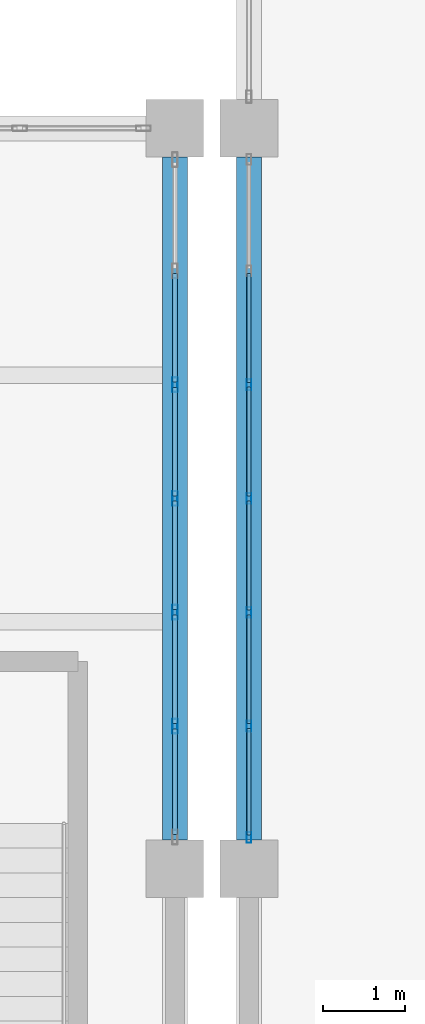
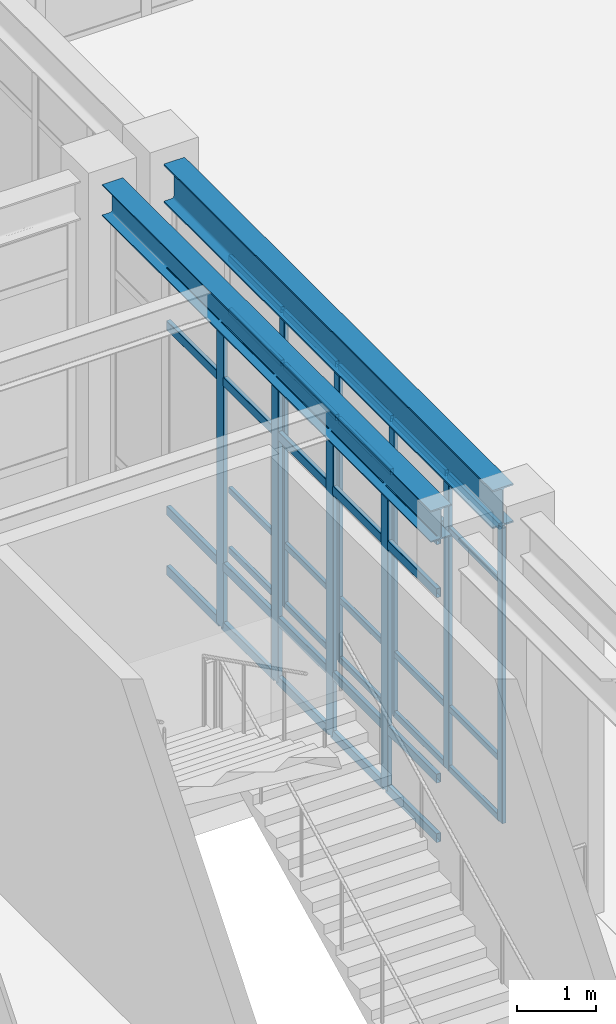
# One storey, part 44 of 80: 49 members, 2 beams, 2 elements without a shape of their own.
"""IFC4 building model written with IfcOpenShell, lengths in metres."""

from ifc_helpers import new_model, si_unit, direction, frame, origin, origin_2d, place, context, subcontext, project, spatial, hollow_rectangle, i_section, extrude, material, material_profile, profile_set, type_object, element, aggregate, save


model = new_model("IFC4")

# Units and contexts
model_context = context("Model", 3, precision=1e-05, world=origin(), true_north=direction((0.0, 1.0)))
body_context = subcontext(model_context, "Body", "Model", "MODEL_VIEW")
ifc_project = project(units=[si_unit("LENGTHUNIT", "METRE"), si_unit("AREAUNIT", "SQUARE_METRE"), si_unit("VOLUMEUNIT", "CUBIC_METRE"), si_unit("PLANEANGLEUNIT", "RADIAN"), si_unit("MASSUNIT", "GRAM", prefix="KILO")], contexts=[model_context])

# Site, building, storey
site_placement = place(None, origin())
site = spatial("IfcSite", under=ifc_project, at=site_placement, CompositionType="ELEMENT")
building_placement = place(site_placement, origin())
building = spatial("IfcBuilding", under=site, at=building_placement, Name="Canglan Escarpment Cableway Terminal", CompositionType="ELEMENT")
storey_placement = place(building_placement, frame((0.0, 0.0, 19.199951171875)))
storey = spatial("IfcBuildingStorey", under=building, at=storey_placement, Name="L04", CompositionType="ELEMENT", Elevation=19.199951171875)

# Beams
ifc_material_1 = material(Name="Steel Q355B", Category="steel")
ifc_material_profile_1 = material_profile(ifc_material_1, i_section(OverallWidth=0.300048828125, OverallDepth=0.488037109375, WebThickness=0.010986328125, FlangeThickness=0.01806640625, FilletRadius=0.02587890625, at=origin_2d()), Name="HM 488x300x11x18")
ifc_profile_set_1 = profile_set([ifc_material_profile_1], Name="Steel Q355B")
beam_type_1 = type_object("IfcBeamType", Name="BM-HM488", PredefinedType="BEAM", material=ifc_profile_set_1)
beam_1_placement = place(storey_placement, frame((136.699951171875, 106.35009765625, 4.916015625), z_axis=(0.0, 1.0, 0.0), x_axis=(-1.0, 0.0, 0.0)))
element("IfcBeam", 1, at=beam_1_placement, inside=storey, type_object=beam_type_1, Name="Primary transverse girder B-09", PredefinedType="BEAM", context=body_context, shape_type="SweptSolid", body=[
    extrude(i_section(OverallWidth=0.300048828125, OverallDepth=0.488037109375, WebThickness=0.010986328125, FlangeThickness=0.01806640625, FilletRadius=0.02587890625, at=origin_2d()), origin(), (0.0, 0.0, 1.0), 8.2998046875),
])
ifc_material_2 = material(Name="Steel Q355C", Category="steel")
ifc_material_profile_2 = material_profile(ifc_material_2, i_section(OverallWidth=0.302001953125, OverallDepth=0.593994140625, WebThickness=0.013916015625, FlangeThickness=0.02294921875, FilletRadius=0.028076171875, at=origin_2d()), Name="HM 594x302x14x23")
ifc_profile_set_2 = profile_set([ifc_material_profile_2], Name="Steel Q355C")
beam_type_2 = type_object("IfcBeamType", Name="BM-HM594", PredefinedType="BEAM", material=ifc_profile_set_2)
beam_2_placement = place(storey_placement, frame((137.60009765625, 106.35009765625, 4.863037109375), z_axis=(0.0, 1.0, 0.0), x_axis=(-1.0, 0.0, 0.0)))
element("IfcBeam", 2, at=beam_2_placement, inside=storey, type_object=beam_type_2, Name="Primary transverse girder B-07", PredefinedType="BEAM", context=body_context, shape_type="SweptSolid", body=[
    extrude(i_section(OverallWidth=0.302001953125, OverallDepth=0.593994140625, WebThickness=0.013916015625, FlangeThickness=0.02294921875, FilletRadius=0.028076171875, at=origin_2d()), origin(), (0.0, 0.0, 1.0), 8.2998046875),
])

# Curtain wall, members
ifc_material_3 = material(Name="Anodized bronze aluminium and Low-E double glazing", Category="aluminium")
curtain_wall_type_1 = type_object("IfcCurtainWallType", Name="CW-BAY-8300x4550", PredefinedType="NOTDEFINED", material=ifc_material_3)
curtain_wall_1_placement = place(storey_placement, origin())
curtain_wall_1 = element("IfcCurtainWall", 3, at=curtain_wall_1_placement, inside=storey, type_object=curtain_wall_type_1, Name="Classical bay-between-piers glazed curtain wall CW-64", PredefinedType="NOTDEFINED")
ifc_material_4 = material(Name="Thermally broken anodized aluminium 6063-T6", Category="aluminium")
ifc_material_profile_3 = material_profile(ifc_material_4, hollow_rectangle(XDim=0.06005859375, YDim=0.1298828125, WallThickness=0.0029296875, InnerFilletRadius=0.0029296875, OuterFilletRadius=0.006103515625, at=origin_2d()), Name="ALU-MULL 60x130x3")
ifc_profile_set_3 = profile_set([ifc_material_profile_3], Name="Thermally broken anodized aluminium 6063-T6")
member_type_1 = type_object("IfcMemberType", Name="CWM-01", PredefinedType="MULLION", material=ifc_profile_set_3)
member_1_placement = place(storey_placement, frame((137.60009765625, 111.88330078125, 0.0), z_axis=(0.0, 0.0, 1.0), x_axis=(1.0, 0.0, 0.0)))
member_1 = element("IfcMember", 4, at=member_1_placement, type_object=member_type_1, Name="CW-64 mullion 3", PredefinedType="MULLION", context=body_context, shape_type="SweptSolid", body=[
    extrude(hollow_rectangle(XDim=0.06005859375, YDim=0.1298828125, WallThickness=0.0029296875, InnerFilletRadius=0.0029296875, OuterFilletRadius=0.006103515625, at=origin_2d()), origin(), (0.0, 0.0, 1.0), 4.551025390625),
])
member_2_placement = place(storey_placement, frame((137.60009765625, 110.5, 0.0), z_axis=(0.0, 0.0, 1.0), x_axis=(1.0, 0.0, 0.0)))
member_2 = element("IfcMember", 5, at=member_2_placement, type_object=member_type_1, Name="CW-64 mullion 4", PredefinedType="MULLION", context=body_context, shape_type="SweptSolid", body=[
    extrude(hollow_rectangle(XDim=0.06005859375, YDim=0.1298828125, WallThickness=0.0029296875, InnerFilletRadius=0.0029296875, OuterFilletRadius=0.006103515625, at=origin_2d()), origin(), (0.0, 0.0, 1.0), 4.551025390625),
])
member_3_placement = place(storey_placement, frame((137.60009765625, 109.11669921875, 0.0), z_axis=(0.0, 0.0, 1.0), x_axis=(1.0, 0.0, 0.0)))
member_3 = element("IfcMember", 6, at=member_3_placement, type_object=member_type_1, Name="CW-64 mullion 5", PredefinedType="MULLION", context=body_context, shape_type="SweptSolid", body=[
    extrude(hollow_rectangle(XDim=0.06005859375, YDim=0.1298828125, WallThickness=0.0029296875, InnerFilletRadius=0.0029296875, OuterFilletRadius=0.006103515625, at=origin_2d()), origin(), (0.0, 0.0, 1.0), 4.551025390625),
])
member_4_placement = place(storey_placement, frame((137.60009765625, 107.7333984375, 0.0), z_axis=(0.0, 0.0, 1.0), x_axis=(1.0, 0.0, 0.0)))
member_4 = element("IfcMember", 7, at=member_4_placement, type_object=member_type_1, Name="CW-64 mullion 6", PredefinedType="MULLION", context=body_context, shape_type="SweptSolid", body=[
    extrude(hollow_rectangle(XDim=0.06005859375, YDim=0.1298828125, WallThickness=0.0029296875, InnerFilletRadius=0.0029296875, OuterFilletRadius=0.006103515625, at=origin_2d()), origin(), (0.0, 0.0, 1.0), 4.551025390625),
])
member_5_placement = place(storey_placement, frame((137.60009765625, 106.3798828125, 0.0), z_axis=(0.0, 0.0, 1.0), x_axis=(1.0, 0.0, 0.0)))
member_5 = element("IfcMember", 8, at=member_5_placement, type_object=member_type_1, Name="CW-64 mullion 7", PredefinedType="MULLION", context=body_context, shape_type="SweptSolid", body=[
    extrude(hollow_rectangle(XDim=0.06005859375, YDim=0.1298828125, WallThickness=0.0029296875, InnerFilletRadius=0.0029296875, OuterFilletRadius=0.006103515625, at=origin_2d()), origin(), (0.0, 0.0, 1.0), 4.551025390625),
])

curtain_wall_type_2 = type_object("IfcCurtainWallType", Name="CW-BAY-8300x4650", PredefinedType="NOTDEFINED", material=ifc_material_3)
curtain_wall_2_placement = place(storey_placement, origin())
curtain_wall_2 = element("IfcCurtainWall", 9, at=curtain_wall_2_placement, inside=storey, type_object=curtain_wall_type_2, Name="Classical bay-between-piers glazed curtain wall CW-51", PredefinedType="NOTDEFINED")
ifc_material_profile_4 = material_profile(ifc_material_4, hollow_rectangle(XDim=0.06494140625, YDim=0.179931640625, WallThickness=0.00390625, InnerFilletRadius=0.00390625, OuterFilletRadius=0.008056640625, at=origin_2d()), Name="ALU-MULL 65x180x4")
ifc_profile_set_4 = profile_set([ifc_material_profile_4], Name="Thermally broken anodized aluminium 6063-T6")
member_type_2 = type_object("IfcMemberType", Name="CWM-03", PredefinedType="MULLION", material=ifc_profile_set_4)
member_6_placement = place(storey_placement, frame((136.699951171875, 107.7333984375, 0.0), z_axis=(0.0, 0.0, 1.0), x_axis=(-1.0, 0.0, 0.0)))
member_6 = element("IfcMember", 10, at=member_6_placement, type_object=member_type_2, Name="CW-51 mullion 2", PredefinedType="MULLION", context=body_context, shape_type="SweptSolid", body=[
    extrude(hollow_rectangle(XDim=0.06494140625, YDim=0.179931640625, WallThickness=0.00390625, InnerFilletRadius=0.00390625, OuterFilletRadius=0.008056640625, at=origin_2d()), origin(), (0.0, 0.0, 1.0), 4.656982421875),
])
member_7_placement = place(storey_placement, frame((136.699951171875, 109.11669921875, 0.0), z_axis=(0.0, 0.0, 1.0), x_axis=(-1.0, 0.0, 0.0)))
member_7 = element("IfcMember", 11, at=member_7_placement, type_object=member_type_2, Name="CW-51 mullion 3", PredefinedType="MULLION", context=body_context, shape_type="SweptSolid", body=[
    extrude(hollow_rectangle(XDim=0.06494140625, YDim=0.179931640625, WallThickness=0.00390625, InnerFilletRadius=0.00390625, OuterFilletRadius=0.008056640625, at=origin_2d()), origin(), (0.0, 0.0, 1.0), 4.656982421875),
])
member_8_placement = place(storey_placement, frame((136.699951171875, 110.5, 0.0), z_axis=(0.0, 0.0, 1.0), x_axis=(-1.0, 0.0, 0.0)))
member_8 = element("IfcMember", 12, at=member_8_placement, type_object=member_type_2, Name="CW-51 mullion 4", PredefinedType="MULLION", context=body_context, shape_type="SweptSolid", body=[
    extrude(hollow_rectangle(XDim=0.06494140625, YDim=0.179931640625, WallThickness=0.00390625, InnerFilletRadius=0.00390625, OuterFilletRadius=0.008056640625, at=origin_2d()), origin(), (0.0, 0.0, 1.0), 4.656982421875),
])
member_9_placement = place(storey_placement, frame((136.699951171875, 111.88330078125, 0.0), z_axis=(0.0, 0.0, 1.0), x_axis=(-1.0, 0.0, 0.0)))
member_9 = element("IfcMember", 13, at=member_9_placement, type_object=member_type_2, Name="CW-51 mullion 5", PredefinedType="MULLION", context=body_context, shape_type="SweptSolid", body=[
    extrude(hollow_rectangle(XDim=0.06494140625, YDim=0.179931640625, WallThickness=0.00390625, InnerFilletRadius=0.00390625, OuterFilletRadius=0.008056640625, at=origin_2d()), origin(), (0.0, 0.0, 1.0), 4.656982421875),
])

# Member
ifc_material_profile_5 = material_profile(ifc_material_4, hollow_rectangle(XDim=0.054931640625, YDim=0.094970703125, WallThickness=0.0029296875, InnerFilletRadius=0.0029296875, OuterFilletRadius=0.006103515625, at=origin_2d()), Name="ALU-TRAN 55x95x3")
ifc_profile_set_5 = profile_set([ifc_material_profile_5], Name="Thermally broken anodized aluminium 6063-T6")
member_type_3 = type_object("IfcMemberType", Name="CWT-01", PredefinedType="USERDEFINED", material=ifc_profile_set_5)
member_10_placement = place(storey_placement, frame((137.60009765625, 113.236572265625, 0.027587890625), z_axis=(0.0, -1.0, 0.0), x_axis=(1.0, 0.0, 0.0)))
member_10 = element("IfcMember", 14, at=member_10_placement, type_object=member_type_3, Name="CW-64 transom 2.1", ObjectType="TRANSOM", PredefinedType="USERDEFINED", context=body_context, shape_type="SweptSolid", body=[
    extrude(hollow_rectangle(XDim=0.054931640625, YDim=0.094970703125, WallThickness=0.0029296875, InnerFilletRadius=0.0029296875, OuterFilletRadius=0.006103515625, at=origin_2d()), origin(), (0.0, 0.0, 1.0), 1.3232421875),
])

member_11_placement = place(storey_placement, frame((137.60009765625, 113.236572265625, 0.949951171875), z_axis=(0.0, -1.0, 0.0), x_axis=(1.0, 0.0, 0.0)))
member_11 = element("IfcMember", 15, at=member_11_placement, type_object=member_type_3, Name="CW-64 transom 2.2", ObjectType="TRANSOM", PredefinedType="USERDEFINED", context=body_context, shape_type="SweptSolid", body=[
    extrude(hollow_rectangle(XDim=0.054931640625, YDim=0.094970703125, WallThickness=0.0029296875, InnerFilletRadius=0.0029296875, OuterFilletRadius=0.006103515625, at=origin_2d()), origin(), (0.0, 0.0, 1.0), 1.3232421875),
])

member_12_placement = place(storey_placement, frame((137.60009765625, 113.236572265625, 3.700927734375), z_axis=(0.0, -1.0, 0.0), x_axis=(1.0, 0.0, 0.0)))
member_12 = element("IfcMember", 16, at=member_12_placement, type_object=member_type_3, Name="CW-64 transom 2.3", ObjectType="TRANSOM", PredefinedType="USERDEFINED", context=body_context, shape_type="SweptSolid", body=[
    extrude(hollow_rectangle(XDim=0.054931640625, YDim=0.094970703125, WallThickness=0.0029296875, InnerFilletRadius=0.0029296875, OuterFilletRadius=0.006103515625, at=origin_2d()), origin(), (0.0, 0.0, 1.0), 1.3232421875),
])

member_13_placement = place(storey_placement, frame((137.60009765625, 113.236572265625, 4.5234375), z_axis=(0.0, -1.0, 0.0), x_axis=(1.0, 0.0, 0.0)))
member_13 = element("IfcMember", 17, at=member_13_placement, type_object=member_type_3, Name="CW-64 transom 2.4", ObjectType="TRANSOM", PredefinedType="USERDEFINED", context=body_context, shape_type="SweptSolid", body=[
    extrude(hollow_rectangle(XDim=0.054931640625, YDim=0.094970703125, WallThickness=0.0029296875, InnerFilletRadius=0.0029296875, OuterFilletRadius=0.006103515625, at=origin_2d()), origin(), (0.0, 0.0, 1.0), 1.3232421875),
])

member_14_placement = place(storey_placement, frame((137.60009765625, 111.853271484375, 0.027587890625), z_axis=(0.0, -1.0, 0.0), x_axis=(1.0, 0.0, 0.0)))
member_14 = element("IfcMember", 18, at=member_14_placement, type_object=member_type_3, Name="CW-64 transom 3.1", ObjectType="TRANSOM", PredefinedType="USERDEFINED", context=body_context, shape_type="SweptSolid", body=[
    extrude(hollow_rectangle(XDim=0.054931640625, YDim=0.094970703125, WallThickness=0.0029296875, InnerFilletRadius=0.0029296875, OuterFilletRadius=0.006103515625, at=origin_2d()), origin(), (0.0, 0.0, 1.0), 1.3232421875),
])

member_15_placement = place(storey_placement, frame((137.60009765625, 111.853271484375, 0.949951171875), z_axis=(0.0, -1.0, 0.0), x_axis=(1.0, 0.0, 0.0)))
member_15 = element("IfcMember", 19, at=member_15_placement, type_object=member_type_3, Name="CW-64 transom 3.2", ObjectType="TRANSOM", PredefinedType="USERDEFINED", context=body_context, shape_type="SweptSolid", body=[
    extrude(hollow_rectangle(XDim=0.054931640625, YDim=0.094970703125, WallThickness=0.0029296875, InnerFilletRadius=0.0029296875, OuterFilletRadius=0.006103515625, at=origin_2d()), origin(), (0.0, 0.0, 1.0), 1.3232421875),
])

member_16_placement = place(storey_placement, frame((137.60009765625, 111.853271484375, 3.700927734375), z_axis=(0.0, -1.0, 0.0), x_axis=(1.0, 0.0, 0.0)))
member_16 = element("IfcMember", 20, at=member_16_placement, type_object=member_type_3, Name="CW-64 transom 3.3", ObjectType="TRANSOM", PredefinedType="USERDEFINED", context=body_context, shape_type="SweptSolid", body=[
    extrude(hollow_rectangle(XDim=0.054931640625, YDim=0.094970703125, WallThickness=0.0029296875, InnerFilletRadius=0.0029296875, OuterFilletRadius=0.006103515625, at=origin_2d()), origin(), (0.0, 0.0, 1.0), 1.3232421875),
])

member_17_placement = place(storey_placement, frame((137.60009765625, 111.853271484375, 4.5234375), z_axis=(0.0, -1.0, 0.0), x_axis=(1.0, 0.0, 0.0)))
member_17 = element("IfcMember", 21, at=member_17_placement, type_object=member_type_3, Name="CW-64 transom 3.4", ObjectType="TRANSOM", PredefinedType="USERDEFINED", context=body_context, shape_type="SweptSolid", body=[
    extrude(hollow_rectangle(XDim=0.054931640625, YDim=0.094970703125, WallThickness=0.0029296875, InnerFilletRadius=0.0029296875, OuterFilletRadius=0.006103515625, at=origin_2d()), origin(), (0.0, 0.0, 1.0), 1.3232421875),
])

member_18_placement = place(storey_placement, frame((137.60009765625, 110.469970703125, 0.027587890625), z_axis=(0.0, -1.0, 0.0), x_axis=(1.0, 0.0, 0.0)))
member_18 = element("IfcMember", 22, at=member_18_placement, type_object=member_type_3, Name="CW-64 transom 4.1", ObjectType="TRANSOM", PredefinedType="USERDEFINED", context=body_context, shape_type="SweptSolid", body=[
    extrude(hollow_rectangle(XDim=0.054931640625, YDim=0.094970703125, WallThickness=0.0029296875, InnerFilletRadius=0.0029296875, OuterFilletRadius=0.006103515625, at=origin_2d()), origin(), (0.0, 0.0, 1.0), 1.3232421875),
])

member_19_placement = place(storey_placement, frame((137.60009765625, 110.469970703125, 0.949951171875), z_axis=(0.0, -1.0, 0.0), x_axis=(1.0, 0.0, 0.0)))
member_19 = element("IfcMember", 23, at=member_19_placement, type_object=member_type_3, Name="CW-64 transom 4.2", ObjectType="TRANSOM", PredefinedType="USERDEFINED", context=body_context, shape_type="SweptSolid", body=[
    extrude(hollow_rectangle(XDim=0.054931640625, YDim=0.094970703125, WallThickness=0.0029296875, InnerFilletRadius=0.0029296875, OuterFilletRadius=0.006103515625, at=origin_2d()), origin(), (0.0, 0.0, 1.0), 1.3232421875),
])

member_20_placement = place(storey_placement, frame((137.60009765625, 110.469970703125, 3.700927734375), z_axis=(0.0, -1.0, 0.0), x_axis=(1.0, 0.0, 0.0)))
member_20 = element("IfcMember", 24, at=member_20_placement, type_object=member_type_3, Name="CW-64 transom 4.3", ObjectType="TRANSOM", PredefinedType="USERDEFINED", context=body_context, shape_type="SweptSolid", body=[
    extrude(hollow_rectangle(XDim=0.054931640625, YDim=0.094970703125, WallThickness=0.0029296875, InnerFilletRadius=0.0029296875, OuterFilletRadius=0.006103515625, at=origin_2d()), origin(), (0.0, 0.0, 1.0), 1.3232421875),
])

member_21_placement = place(storey_placement, frame((137.60009765625, 110.469970703125, 4.5234375), z_axis=(0.0, -1.0, 0.0), x_axis=(1.0, 0.0, 0.0)))
member_21 = element("IfcMember", 25, at=member_21_placement, type_object=member_type_3, Name="CW-64 transom 4.4", ObjectType="TRANSOM", PredefinedType="USERDEFINED", context=body_context, shape_type="SweptSolid", body=[
    extrude(hollow_rectangle(XDim=0.054931640625, YDim=0.094970703125, WallThickness=0.0029296875, InnerFilletRadius=0.0029296875, OuterFilletRadius=0.006103515625, at=origin_2d()), origin(), (0.0, 0.0, 1.0), 1.3232421875),
])

member_22_placement = place(storey_placement, frame((137.60009765625, 109.086669921875, 0.027587890625), z_axis=(0.0, -1.0, 0.0), x_axis=(1.0, 0.0, 0.0)))
member_22 = element("IfcMember", 26, at=member_22_placement, type_object=member_type_3, Name="CW-64 transom 5.1", ObjectType="TRANSOM", PredefinedType="USERDEFINED", context=body_context, shape_type="SweptSolid", body=[
    extrude(hollow_rectangle(XDim=0.054931640625, YDim=0.094970703125, WallThickness=0.0029296875, InnerFilletRadius=0.0029296875, OuterFilletRadius=0.006103515625, at=origin_2d()), origin(), (0.0, 0.0, 1.0), 1.3232421875),
])

member_23_placement = place(storey_placement, frame((137.60009765625, 109.086669921875, 0.949951171875), z_axis=(0.0, -1.0, 0.0), x_axis=(1.0, 0.0, 0.0)))
member_23 = element("IfcMember", 27, at=member_23_placement, type_object=member_type_3, Name="CW-64 transom 5.2", ObjectType="TRANSOM", PredefinedType="USERDEFINED", context=body_context, shape_type="SweptSolid", body=[
    extrude(hollow_rectangle(XDim=0.054931640625, YDim=0.094970703125, WallThickness=0.0029296875, InnerFilletRadius=0.0029296875, OuterFilletRadius=0.006103515625, at=origin_2d()), origin(), (0.0, 0.0, 1.0), 1.3232421875),
])

member_24_placement = place(storey_placement, frame((137.60009765625, 109.086669921875, 3.700927734375), z_axis=(0.0, -1.0, 0.0), x_axis=(1.0, 0.0, 0.0)))
member_24 = element("IfcMember", 28, at=member_24_placement, type_object=member_type_3, Name="CW-64 transom 5.3", ObjectType="TRANSOM", PredefinedType="USERDEFINED", context=body_context, shape_type="SweptSolid", body=[
    extrude(hollow_rectangle(XDim=0.054931640625, YDim=0.094970703125, WallThickness=0.0029296875, InnerFilletRadius=0.0029296875, OuterFilletRadius=0.006103515625, at=origin_2d()), origin(), (0.0, 0.0, 1.0), 1.3232421875),
])

member_25_placement = place(storey_placement, frame((137.60009765625, 109.086669921875, 4.5234375), z_axis=(0.0, -1.0, 0.0), x_axis=(1.0, 0.0, 0.0)))
member_25 = element("IfcMember", 29, at=member_25_placement, type_object=member_type_3, Name="CW-64 transom 5.4", ObjectType="TRANSOM", PredefinedType="USERDEFINED", context=body_context, shape_type="SweptSolid", body=[
    extrude(hollow_rectangle(XDim=0.054931640625, YDim=0.094970703125, WallThickness=0.0029296875, InnerFilletRadius=0.0029296875, OuterFilletRadius=0.006103515625, at=origin_2d()), origin(), (0.0, 0.0, 1.0), 1.3232421875),
])

member_26_placement = place(storey_placement, frame((137.60009765625, 107.703369140625, 0.027587890625), z_axis=(0.0, -1.0, 0.0), x_axis=(1.0, 0.0, 0.0)))
member_26 = element("IfcMember", 30, at=member_26_placement, type_object=member_type_3, Name="CW-64 transom 6.1", ObjectType="TRANSOM", PredefinedType="USERDEFINED", context=body_context, shape_type="SweptSolid", body=[
    extrude(hollow_rectangle(XDim=0.054931640625, YDim=0.094970703125, WallThickness=0.0029296875, InnerFilletRadius=0.0029296875, OuterFilletRadius=0.006103515625, at=origin_2d()), origin(), (0.0, 0.0, 1.0), 1.29345703125),
])

member_27_placement = place(storey_placement, frame((137.60009765625, 107.703369140625, 0.949951171875), z_axis=(0.0, -1.0, 0.0), x_axis=(1.0, 0.0, 0.0)))
member_27 = element("IfcMember", 31, at=member_27_placement, type_object=member_type_3, Name="CW-64 transom 6.2", ObjectType="TRANSOM", PredefinedType="USERDEFINED", context=body_context, shape_type="SweptSolid", body=[
    extrude(hollow_rectangle(XDim=0.054931640625, YDim=0.094970703125, WallThickness=0.0029296875, InnerFilletRadius=0.0029296875, OuterFilletRadius=0.006103515625, at=origin_2d()), origin(), (0.0, 0.0, 1.0), 1.29345703125),
])

member_28_placement = place(storey_placement, frame((137.60009765625, 107.703369140625, 3.700927734375), z_axis=(0.0, -1.0, 0.0), x_axis=(1.0, 0.0, 0.0)))
member_28 = element("IfcMember", 32, at=member_28_placement, type_object=member_type_3, Name="CW-64 transom 6.3", ObjectType="TRANSOM", PredefinedType="USERDEFINED", context=body_context, shape_type="SweptSolid", body=[
    extrude(hollow_rectangle(XDim=0.054931640625, YDim=0.094970703125, WallThickness=0.0029296875, InnerFilletRadius=0.0029296875, OuterFilletRadius=0.006103515625, at=origin_2d()), origin(), (0.0, 0.0, 1.0), 1.29345703125),
])

member_29_placement = place(storey_placement, frame((137.60009765625, 107.703369140625, 4.5234375), z_axis=(0.0, -1.0, 0.0), x_axis=(1.0, 0.0, 0.0)))
member_29 = element("IfcMember", 33, at=member_29_placement, type_object=member_type_3, Name="CW-64 transom 6.4", ObjectType="TRANSOM", PredefinedType="USERDEFINED", context=body_context, shape_type="SweptSolid", body=[
    extrude(hollow_rectangle(XDim=0.054931640625, YDim=0.094970703125, WallThickness=0.0029296875, InnerFilletRadius=0.0029296875, OuterFilletRadius=0.006103515625, at=origin_2d()), origin(), (0.0, 0.0, 1.0), 1.29345703125),
])

aggregate(curtain_wall_1, [member_1, member_2, member_3, member_4, member_5, member_10, member_11, member_12, member_13, member_14, member_15, member_16, member_17, member_18, member_19, member_20, member_21, member_22, member_23, member_24, member_25, member_26, member_27, member_28, member_29])

ifc_material_profile_6 = material_profile(ifc_material_4, hollow_rectangle(XDim=0.06494140625, YDim=0.139892578125, WallThickness=0.00341796875, InnerFilletRadius=0.00341796875, OuterFilletRadius=0.007080078125, at=origin_2d()), Name="ALU-TRAN 65x140x3.5")
ifc_profile_set_6 = profile_set([ifc_material_profile_6], Name="Thermally broken anodized aluminium 6063-T6")
member_type_4 = type_object("IfcMemberType", Name="CWT-03", PredefinedType="USERDEFINED", material=ifc_profile_set_6)
member_30_placement = place(storey_placement, frame((136.699951171875, 106.4150390625, 0.032470703125), z_axis=(0.0, 1.0, 0.0), x_axis=(-1.0, 0.0, 0.0)))
member_30 = element("IfcMember", 34, at=member_30_placement, type_object=member_type_4, Name="CW-51 transom 1.1", ObjectType="TRANSOM", PredefinedType="USERDEFINED", context=body_context, shape_type="SweptSolid", body=[
    extrude(hollow_rectangle(XDim=0.06494140625, YDim=0.139892578125, WallThickness=0.00341796875, InnerFilletRadius=0.00341796875, OuterFilletRadius=0.007080078125, at=origin_2d()), origin(), (0.0, 0.0, 1.0), 1.285888671875),
])

member_31_placement = place(storey_placement, frame((136.699951171875, 106.4150390625, 0.949951171875), z_axis=(0.0, 1.0, 0.0), x_axis=(-1.0, 0.0, 0.0)))
member_31 = element("IfcMember", 35, at=member_31_placement, type_object=member_type_4, Name="CW-51 transom 1.2", ObjectType="TRANSOM", PredefinedType="USERDEFINED", context=body_context, shape_type="SweptSolid", body=[
    extrude(hollow_rectangle(XDim=0.06494140625, YDim=0.139892578125, WallThickness=0.00341796875, InnerFilletRadius=0.00341796875, OuterFilletRadius=0.007080078125, at=origin_2d()), origin(), (0.0, 0.0, 1.0), 1.285888671875),
])

member_32_placement = place(storey_placement, frame((136.699951171875, 106.4150390625, 3.80712890625), z_axis=(0.0, 1.0, 0.0), x_axis=(-1.0, 0.0, 0.0)))
member_32 = element("IfcMember", 36, at=member_32_placement, type_object=member_type_4, Name="CW-51 transom 1.3", ObjectType="TRANSOM", PredefinedType="USERDEFINED", context=body_context, shape_type="SweptSolid", body=[
    extrude(hollow_rectangle(XDim=0.06494140625, YDim=0.139892578125, WallThickness=0.00341796875, InnerFilletRadius=0.00341796875, OuterFilletRadius=0.007080078125, at=origin_2d()), origin(), (0.0, 0.0, 1.0), 1.285888671875),
])

member_33_placement = place(storey_placement, frame((136.699951171875, 106.4150390625, 4.62451171875), z_axis=(0.0, 1.0, 0.0), x_axis=(-1.0, 0.0, 0.0)))
member_33 = element("IfcMember", 37, at=member_33_placement, type_object=member_type_4, Name="CW-51 transom 1.4", ObjectType="TRANSOM", PredefinedType="USERDEFINED", context=body_context, shape_type="SweptSolid", body=[
    extrude(hollow_rectangle(XDim=0.06494140625, YDim=0.139892578125, WallThickness=0.00341796875, InnerFilletRadius=0.00341796875, OuterFilletRadius=0.007080078125, at=origin_2d()), origin(), (0.0, 0.0, 1.0), 1.285888671875),
])

member_34_placement = place(storey_placement, frame((136.699951171875, 107.765869140625, 0.032470703125), z_axis=(0.0, 1.0, 0.0), x_axis=(-1.0, 0.0, 0.0)))
member_34 = element("IfcMember", 38, at=member_34_placement, type_object=member_type_4, Name="CW-51 transom 2.1", ObjectType="TRANSOM", PredefinedType="USERDEFINED", context=body_context, shape_type="SweptSolid", body=[
    extrude(hollow_rectangle(XDim=0.06494140625, YDim=0.139892578125, WallThickness=0.00341796875, InnerFilletRadius=0.00341796875, OuterFilletRadius=0.007080078125, at=origin_2d()), origin(), (0.0, 0.0, 1.0), 1.318359375),
])

member_35_placement = place(storey_placement, frame((136.699951171875, 107.765869140625, 0.949951171875), z_axis=(0.0, 1.0, 0.0), x_axis=(-1.0, 0.0, 0.0)))
member_35 = element("IfcMember", 39, at=member_35_placement, type_object=member_type_4, Name="CW-51 transom 2.2", ObjectType="TRANSOM", PredefinedType="USERDEFINED", context=body_context, shape_type="SweptSolid", body=[
    extrude(hollow_rectangle(XDim=0.06494140625, YDim=0.139892578125, WallThickness=0.00341796875, InnerFilletRadius=0.00341796875, OuterFilletRadius=0.007080078125, at=origin_2d()), origin(), (0.0, 0.0, 1.0), 1.318359375),
])

member_36_placement = place(storey_placement, frame((136.699951171875, 107.765869140625, 3.80712890625), z_axis=(0.0, 1.0, 0.0), x_axis=(-1.0, 0.0, 0.0)))
member_36 = element("IfcMember", 40, at=member_36_placement, type_object=member_type_4, Name="CW-51 transom 2.3", ObjectType="TRANSOM", PredefinedType="USERDEFINED", context=body_context, shape_type="SweptSolid", body=[
    extrude(hollow_rectangle(XDim=0.06494140625, YDim=0.139892578125, WallThickness=0.00341796875, InnerFilletRadius=0.00341796875, OuterFilletRadius=0.007080078125, at=origin_2d()), origin(), (0.0, 0.0, 1.0), 1.318359375),
])

member_37_placement = place(storey_placement, frame((136.699951171875, 107.765869140625, 4.62451171875), z_axis=(0.0, 1.0, 0.0), x_axis=(-1.0, 0.0, 0.0)))
member_37 = element("IfcMember", 41, at=member_37_placement, type_object=member_type_4, Name="CW-51 transom 2.4", ObjectType="TRANSOM", PredefinedType="USERDEFINED", context=body_context, shape_type="SweptSolid", body=[
    extrude(hollow_rectangle(XDim=0.06494140625, YDim=0.139892578125, WallThickness=0.00341796875, InnerFilletRadius=0.00341796875, OuterFilletRadius=0.007080078125, at=origin_2d()), origin(), (0.0, 0.0, 1.0), 1.318359375),
])

member_38_placement = place(storey_placement, frame((136.699951171875, 109.149169921875, 0.032470703125), z_axis=(0.0, 1.0, 0.0), x_axis=(-1.0, 0.0, 0.0)))
member_38 = element("IfcMember", 42, at=member_38_placement, type_object=member_type_4, Name="CW-51 transom 3.1", ObjectType="TRANSOM", PredefinedType="USERDEFINED", context=body_context, shape_type="SweptSolid", body=[
    extrude(hollow_rectangle(XDim=0.06494140625, YDim=0.139892578125, WallThickness=0.00341796875, InnerFilletRadius=0.00341796875, OuterFilletRadius=0.007080078125, at=origin_2d()), origin(), (0.0, 0.0, 1.0), 1.318359375),
])

member_39_placement = place(storey_placement, frame((136.699951171875, 109.149169921875, 0.949951171875), z_axis=(0.0, 1.0, 0.0), x_axis=(-1.0, 0.0, 0.0)))
member_39 = element("IfcMember", 43, at=member_39_placement, type_object=member_type_4, Name="CW-51 transom 3.2", ObjectType="TRANSOM", PredefinedType="USERDEFINED", context=body_context, shape_type="SweptSolid", body=[
    extrude(hollow_rectangle(XDim=0.06494140625, YDim=0.139892578125, WallThickness=0.00341796875, InnerFilletRadius=0.00341796875, OuterFilletRadius=0.007080078125, at=origin_2d()), origin(), (0.0, 0.0, 1.0), 1.318359375),
])

member_40_placement = place(storey_placement, frame((136.699951171875, 109.149169921875, 3.80712890625), z_axis=(0.0, 1.0, 0.0), x_axis=(-1.0, 0.0, 0.0)))
member_40 = element("IfcMember", 44, at=member_40_placement, type_object=member_type_4, Name="CW-51 transom 3.3", ObjectType="TRANSOM", PredefinedType="USERDEFINED", context=body_context, shape_type="SweptSolid", body=[
    extrude(hollow_rectangle(XDim=0.06494140625, YDim=0.139892578125, WallThickness=0.00341796875, InnerFilletRadius=0.00341796875, OuterFilletRadius=0.007080078125, at=origin_2d()), origin(), (0.0, 0.0, 1.0), 1.318359375),
])

member_41_placement = place(storey_placement, frame((136.699951171875, 109.149169921875, 4.62451171875), z_axis=(0.0, 1.0, 0.0), x_axis=(-1.0, 0.0, 0.0)))
member_41 = element("IfcMember", 45, at=member_41_placement, type_object=member_type_4, Name="CW-51 transom 3.4", ObjectType="TRANSOM", PredefinedType="USERDEFINED", context=body_context, shape_type="SweptSolid", body=[
    extrude(hollow_rectangle(XDim=0.06494140625, YDim=0.139892578125, WallThickness=0.00341796875, InnerFilletRadius=0.00341796875, OuterFilletRadius=0.007080078125, at=origin_2d()), origin(), (0.0, 0.0, 1.0), 1.318359375),
])

member_42_placement = place(storey_placement, frame((136.699951171875, 110.532470703125, 0.032470703125), z_axis=(0.0, 1.0, 0.0), x_axis=(-1.0, 0.0, 0.0)))
member_42 = element("IfcMember", 46, at=member_42_placement, type_object=member_type_4, Name="CW-51 transom 4.1", ObjectType="TRANSOM", PredefinedType="USERDEFINED", context=body_context, shape_type="SweptSolid", body=[
    extrude(hollow_rectangle(XDim=0.06494140625, YDim=0.139892578125, WallThickness=0.00341796875, InnerFilletRadius=0.00341796875, OuterFilletRadius=0.007080078125, at=origin_2d()), origin(), (0.0, 0.0, 1.0), 1.318359375),
])

member_43_placement = place(storey_placement, frame((136.699951171875, 110.532470703125, 0.949951171875), z_axis=(0.0, 1.0, 0.0), x_axis=(-1.0, 0.0, 0.0)))
member_43 = element("IfcMember", 47, at=member_43_placement, type_object=member_type_4, Name="CW-51 transom 4.2", ObjectType="TRANSOM", PredefinedType="USERDEFINED", context=body_context, shape_type="SweptSolid", body=[
    extrude(hollow_rectangle(XDim=0.06494140625, YDim=0.139892578125, WallThickness=0.00341796875, InnerFilletRadius=0.00341796875, OuterFilletRadius=0.007080078125, at=origin_2d()), origin(), (0.0, 0.0, 1.0), 1.318359375),
])

member_44_placement = place(storey_placement, frame((136.699951171875, 110.532470703125, 3.80712890625), z_axis=(0.0, 1.0, 0.0), x_axis=(-1.0, 0.0, 0.0)))
member_44 = element("IfcMember", 48, at=member_44_placement, type_object=member_type_4, Name="CW-51 transom 4.3", ObjectType="TRANSOM", PredefinedType="USERDEFINED", context=body_context, shape_type="SweptSolid", body=[
    extrude(hollow_rectangle(XDim=0.06494140625, YDim=0.139892578125, WallThickness=0.00341796875, InnerFilletRadius=0.00341796875, OuterFilletRadius=0.007080078125, at=origin_2d()), origin(), (0.0, 0.0, 1.0), 1.318359375),
])

member_45_placement = place(storey_placement, frame((136.699951171875, 110.532470703125, 4.62451171875), z_axis=(0.0, 1.0, 0.0), x_axis=(-1.0, 0.0, 0.0)))
member_45 = element("IfcMember", 49, at=member_45_placement, type_object=member_type_4, Name="CW-51 transom 4.4", ObjectType="TRANSOM", PredefinedType="USERDEFINED", context=body_context, shape_type="SweptSolid", body=[
    extrude(hollow_rectangle(XDim=0.06494140625, YDim=0.139892578125, WallThickness=0.00341796875, InnerFilletRadius=0.00341796875, OuterFilletRadius=0.007080078125, at=origin_2d()), origin(), (0.0, 0.0, 1.0), 1.318359375),
])

member_46_placement = place(storey_placement, frame((136.699951171875, 111.915771484375, 0.032470703125), z_axis=(0.0, 1.0, 0.0), x_axis=(-1.0, 0.0, 0.0)))
member_46 = element("IfcMember", 50, at=member_46_placement, type_object=member_type_4, Name="CW-51 transom 5.1", ObjectType="TRANSOM", PredefinedType="USERDEFINED", context=body_context, shape_type="SweptSolid", body=[
    extrude(hollow_rectangle(XDim=0.06494140625, YDim=0.139892578125, WallThickness=0.00341796875, InnerFilletRadius=0.00341796875, OuterFilletRadius=0.007080078125, at=origin_2d()), origin(), (0.0, 0.0, 1.0), 1.318359375),
])

member_47_placement = place(storey_placement, frame((136.699951171875, 111.915771484375, 0.949951171875), z_axis=(0.0, 1.0, 0.0), x_axis=(-1.0, 0.0, 0.0)))
member_47 = element("IfcMember", 51, at=member_47_placement, type_object=member_type_4, Name="CW-51 transom 5.2", ObjectType="TRANSOM", PredefinedType="USERDEFINED", context=body_context, shape_type="SweptSolid", body=[
    extrude(hollow_rectangle(XDim=0.06494140625, YDim=0.139892578125, WallThickness=0.00341796875, InnerFilletRadius=0.00341796875, OuterFilletRadius=0.007080078125, at=origin_2d()), origin(), (0.0, 0.0, 1.0), 1.318359375),
])

member_48_placement = place(storey_placement, frame((136.699951171875, 111.915771484375, 3.80712890625), z_axis=(0.0, 1.0, 0.0), x_axis=(-1.0, 0.0, 0.0)))
member_48 = element("IfcMember", 52, at=member_48_placement, type_object=member_type_4, Name="CW-51 transom 5.3", ObjectType="TRANSOM", PredefinedType="USERDEFINED", context=body_context, shape_type="SweptSolid", body=[
    extrude(hollow_rectangle(XDim=0.06494140625, YDim=0.139892578125, WallThickness=0.00341796875, InnerFilletRadius=0.00341796875, OuterFilletRadius=0.007080078125, at=origin_2d()), origin(), (0.0, 0.0, 1.0), 1.318359375),
])

member_49_placement = place(storey_placement, frame((136.699951171875, 111.915771484375, 4.62451171875), z_axis=(0.0, 1.0, 0.0), x_axis=(-1.0, 0.0, 0.0)))
member_49 = element("IfcMember", 53, at=member_49_placement, type_object=member_type_4, Name="CW-51 transom 5.4", ObjectType="TRANSOM", PredefinedType="USERDEFINED", context=body_context, shape_type="SweptSolid", body=[
    extrude(hollow_rectangle(XDim=0.06494140625, YDim=0.139892578125, WallThickness=0.00341796875, InnerFilletRadius=0.00341796875, OuterFilletRadius=0.007080078125, at=origin_2d()), origin(), (0.0, 0.0, 1.0), 1.318359375),
])

aggregate(curtain_wall_2, [member_6, member_7, member_8, member_9, member_30, member_31, member_32, member_33, member_34, member_35, member_36, member_37, member_38, member_39, member_40, member_41, member_42, member_43, member_44, member_45, member_46, member_47, member_48, member_49])

save(model, "model.ifc")
